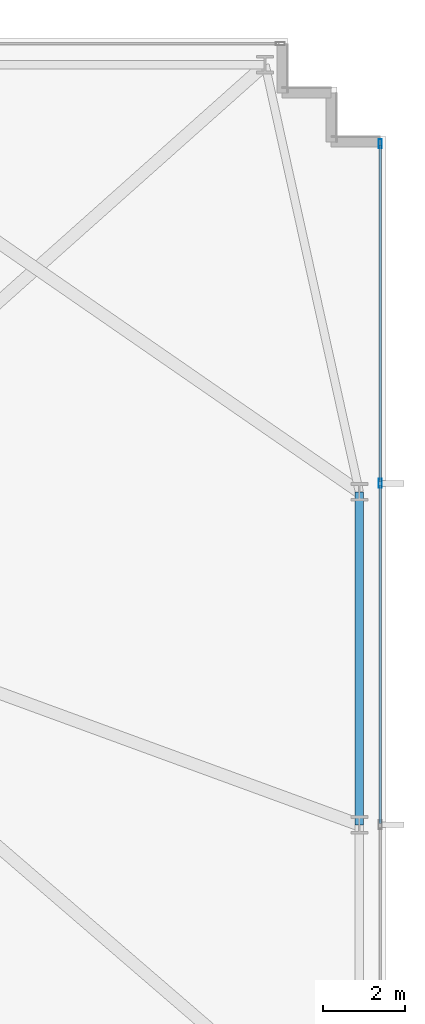
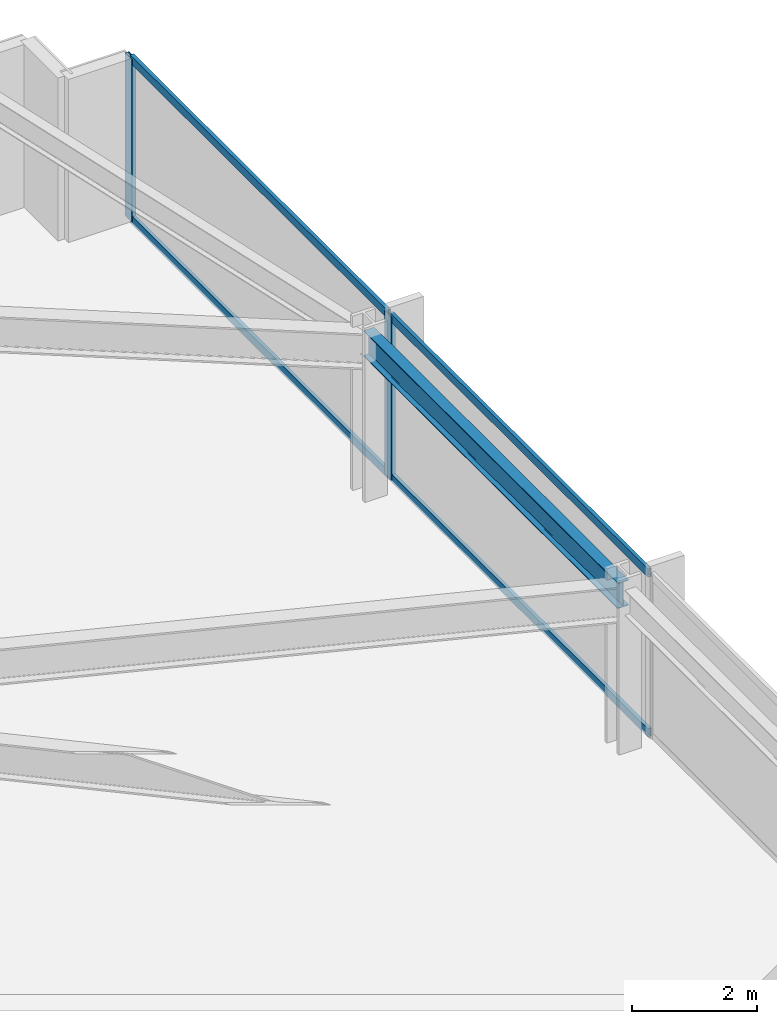
# One storey, part 23 of 33: 6 members, 1 beam, 1 element without a shape of its own.
"""IFC4 building model written with IfcOpenShell, lengths in metres."""

from ifc_helpers import new_model, si_unit, direction, frame, origin, origin_2d, place, context, subcontext, project, spatial, hollow_rectangle, i_section, extrude, material, material_profile, profile_set, type_object, element, aggregate, save


model = new_model("IFC4")

# Units and contexts
model_context = context("Model", 3, precision=1e-05, world=origin(), true_north=direction((0.0, 1.0)))
body_context = subcontext(model_context, "Body", "Model", "MODEL_VIEW")
ifc_project = project(units=[si_unit("LENGTHUNIT", "METRE"), si_unit("AREAUNIT", "SQUARE_METRE"), si_unit("VOLUMEUNIT", "CUBIC_METRE"), si_unit("PLANEANGLEUNIT", "RADIAN"), si_unit("MASSUNIT", "GRAM", prefix="KILO")], contexts=[model_context])

# Site, building, storey
site_placement = place(None, origin())
site = spatial("IfcSite", under=ifc_project, at=site_placement, CompositionType="ELEMENT")
building_placement = place(site_placement, origin())
building = spatial("IfcBuilding", under=site, at=building_placement, Name="Yelkora Congress Tower", CompositionType="ELEMENT")
storey_placement = place(building_placement, frame((0.0, 0.0, 47.39990234375)))
storey = spatial("IfcBuildingStorey", under=building, at=storey_placement, Name="L11", CompositionType="ELEMENT", Elevation=47.39990234375)

# Beam
ifc_material_1 = material(Name="Steel S355J2", Category="steel")
ifc_material_profile_1 = material_profile(ifc_material_1, i_section(OverallWidth=0.199951171875, OverallDepth=0.5, WebThickness=0.01025390625, FlangeThickness=0.01611328125, FilletRadius=0.02099609375, at=origin_2d()), Name="IPE 500")
ifc_profile_set_1 = profile_set([ifc_material_profile_1], Name="Steel S355J2")
beam_type = type_object("IfcBeamType", Name="BM-SPAN-IPE500", PredefinedType="SPANDREL", material=ifc_profile_set_1)
beam_placement = place(storey_placement, frame((70.14990234375, 29.39990234375, 2.93017578125), z_axis=(0.0, 1.0, 0.0), x_axis=(-1.0, 0.0, 0.0)))
element("IfcBeam", 1, at=beam_placement, inside=storey, type_object=beam_type, Name="L11 Perimeter Beam 12", PredefinedType="SPANDREL", context=body_context, shape_type="SweptSolid", body=[
    extrude(i_section(OverallWidth=0.199951171875, OverallDepth=0.5, WebThickness=0.01025390625, FlangeThickness=0.01611328125, FilletRadius=0.02099609375, at=origin_2d()), origin(), (0.0, 0.0, 1.0), 8.125),
])

# Curtain wall, members
ifc_material_2 = material(Name="Anodised aluminium and insulated glass", Category="aluminium")
curtain_wall_type = type_object("IfcCurtainWallType", Name="CW-SYS-B1", PredefinedType="NOTDEFINED", material=ifc_material_2)
curtain_wall_placement = place(storey_placement, origin())
curtain_wall = element("IfcCurtainWall", 2, at=curtain_wall_placement, inside=storey, type_object=curtain_wall_type, Name="L11 Unitised Curtain Wall 15", PredefinedType="NOTDEFINED")
ifc_material_3 = material(Name="Anodised aluminium 6063-T6", Category="aluminium")
ifc_material_profile_2 = material_profile(ifc_material_3, hollow_rectangle(XDim=0.074951171875, YDim=0.219970703125, WallThickness=0.0048828125, at=origin_2d()), Name="ALU 75x220x5")
ifc_profile_set_2 = profile_set([ifc_material_profile_2], Name="Anodised aluminium 6063-T6")
member_type_1 = type_object("IfcMemberType", Name="MEM-ML-B1", PredefinedType="MULLION", material=ifc_profile_set_2)
member_1_placement = place(storey_placement, frame((70.659912109375, 46.0224609375, 0.0), z_axis=(0.0, 0.0, 1.0), x_axis=(1.0, 0.0, 0.0)))
member_1 = element("IfcMember", 3, at=member_1_placement, type_object=member_type_1, Name="CW-B1 mullion 1", PredefinedType="MULLION", context=body_context, shape_type="SweptSolid", body=[
    extrude(hollow_rectangle(XDim=0.074951171875, YDim=0.219970703125, WallThickness=0.0048828125, at=origin_2d()), origin(), (0.0, 0.0, 1.0), 3.18017578125),
])
member_2_placement = place(storey_placement, frame((70.659912109375, 37.72998046875, 0.0), z_axis=(0.0, 0.0, 1.0), x_axis=(1.0, 0.0, 0.0)))
member_2 = element("IfcMember", 4, at=member_2_placement, type_object=member_type_1, Name="CW-B1 mullion 2", PredefinedType="MULLION", context=body_context, shape_type="SweptSolid", body=[
    extrude(hollow_rectangle(XDim=0.074951171875, YDim=0.219970703125, WallThickness=0.0048828125, at=origin_2d()), origin(), (0.0, 0.0, 1.0), 3.18017578125),
])
ifc_material_profile_3 = material_profile(ifc_material_3, hollow_rectangle(XDim=0.06494140625, YDim=0.159912109375, WallThickness=0.00390625, at=origin_2d()), Name="ALU 65x160x4")
ifc_profile_set_3 = profile_set([ifc_material_profile_3], Name="Anodised aluminium 6063-T6")
member_type_2 = type_object("IfcMemberType", Name="MEM-TR-B1", PredefinedType="USERDEFINED", material=ifc_profile_set_3)
member_3_placement = place(storey_placement, frame((70.659912109375, 45.985107421875, 0.03271484375), z_axis=(0.0, -1.0, 0.0), x_axis=(1.0, 0.0, 0.0)))
member_3 = element("IfcMember", 5, at=member_3_placement, type_object=member_type_2, Name="CW-B1 transom 1.1", ObjectType="TRANSOM", PredefinedType="USERDEFINED", context=body_context, shape_type="SweptSolid", body=[
    extrude(hollow_rectangle(XDim=0.06494140625, YDim=0.159912109375, WallThickness=0.00390625, at=origin_2d()), origin(), (0.0, 0.0, 1.0), 8.217529296875),
])
member_4_placement = place(storey_placement, frame((70.659912109375, 45.985107421875, 3.147705078125), z_axis=(0.0, -1.0, 0.0), x_axis=(1.0, 0.0, 0.0)))
member_4 = element("IfcMember", 6, at=member_4_placement, type_object=member_type_2, Name="CW-B1 transom 1.2", ObjectType="TRANSOM", PredefinedType="USERDEFINED", context=body_context, shape_type="SweptSolid", body=[
    extrude(hollow_rectangle(XDim=0.06494140625, YDim=0.159912109375, WallThickness=0.00390625, at=origin_2d()), origin(), (0.0, 0.0, 1.0), 8.217529296875),
])
member_5_placement = place(storey_placement, frame((70.659912109375, 37.6923828125, 0.03271484375), z_axis=(0.0, -1.0, 0.0), x_axis=(1.0, 0.0, 0.0)))
member_5 = element("IfcMember", 7, at=member_5_placement, type_object=member_type_2, Name="CW-B1 transom 2.1", ObjectType="TRANSOM", PredefinedType="USERDEFINED", context=body_context, shape_type="SweptSolid", body=[
    extrude(hollow_rectangle(XDim=0.06494140625, YDim=0.159912109375, WallThickness=0.00390625, at=origin_2d()), origin(), (0.0, 0.0, 1.0), 8.2548828125),
])
member_6_placement = place(storey_placement, frame((70.659912109375, 37.6923828125, 3.147705078125), z_axis=(0.0, -1.0, 0.0), x_axis=(1.0, 0.0, 0.0)))
member_6 = element("IfcMember", 8, at=member_6_placement, type_object=member_type_2, Name="CW-B1 transom 2.2", ObjectType="TRANSOM", PredefinedType="USERDEFINED", context=body_context, shape_type="SweptSolid", body=[
    extrude(hollow_rectangle(XDim=0.06494140625, YDim=0.159912109375, WallThickness=0.00390625, at=origin_2d()), origin(), (0.0, 0.0, 1.0), 8.2548828125),
])
aggregate(curtain_wall, [member_1, member_2, member_3, member_4, member_5, member_6])

save(model, "model.ifc")
